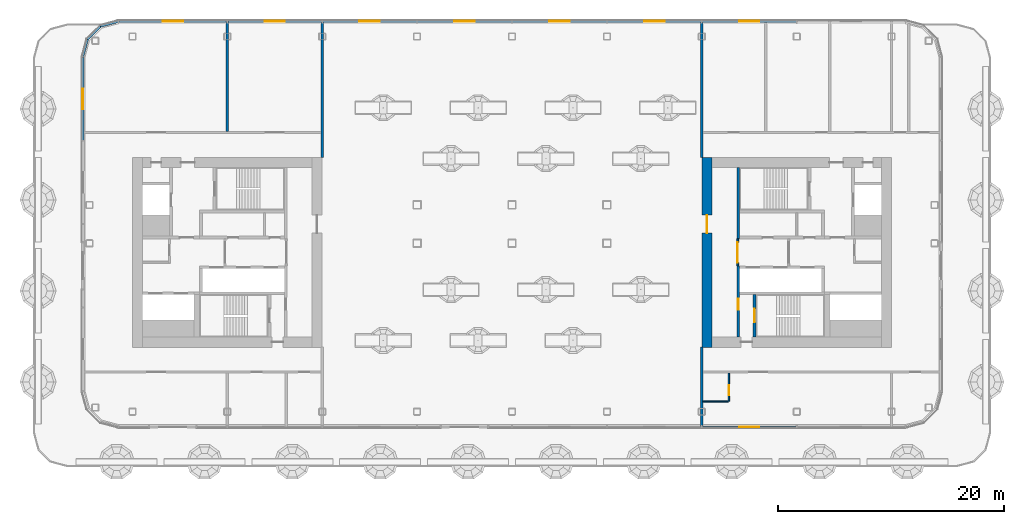
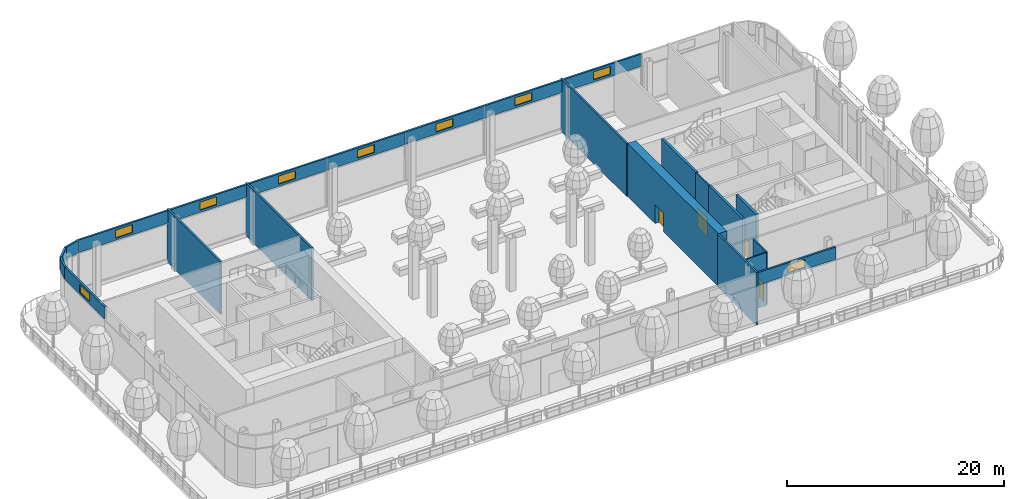
# One storey, part 12 of 41: 23 walls, 9 windows, 5 doors, 14 openings, 4 elements without a shape of their own.
"""IFC4 building model written with IfcOpenShell, lengths in metres."""

from ifc_helpers import new_model, si_unit, direction, frame, frame_2d, origin, place, context, subcontext, project, spatial, rectangle, extrude, material, layer, layer_set, type_object, element, fill, aggregate, save


model = new_model("IFC4")

# Units and contexts
model_context = context("Model", 3, precision=1e-05, world=origin(), true_north=direction((0.0, 1.0)))
body_context = subcontext(model_context, "Body", "Model", "MODEL_VIEW")
ifc_project = project(units=[si_unit("LENGTHUNIT", "METRE"), si_unit("AREAUNIT", "SQUARE_METRE"), si_unit("VOLUMEUNIT", "CUBIC_METRE"), si_unit("PLANEANGLEUNIT", "RADIAN"), si_unit("MASSUNIT", "GRAM", prefix="KILO")], contexts=[model_context])

# Site, building, storey
site_placement = place(None, origin())
site = spatial("IfcSite", under=ifc_project, at=site_placement, CompositionType="ELEMENT")
building_placement = place(site_placement, origin())
building = spatial("IfcBuilding", under=site, at=building_placement, Name="Hakoniwa Tower and Hamabe Station Hall", CompositionType="ELEMENT")
storey_placement = place(building_placement, frame((0.0, 0.0, 180.199951171875)))
storey = spatial("IfcBuildingStorey", under=building, at=storey_placement, Name="L51", CompositionType="ELEMENT", Elevation=180.199951171875)

# Wall, opening, door
ifc_material_1 = material(Name="Gypsum board partition")
ifc_layer_1 = layer(ifc_material_1, 0.14990234375)
ifc_layer_set_1 = layer_set([ifc_layer_1], Name="CORE PARTITION 150 EI 60")
wall_type_1 = type_object("IfcWallType", Name="CORE PARTITION 150 EI 60", PredefinedType="PARTITIONING", material=ifc_layer_set_1)
wall_1_placement = place(storey_placement, frame((19.97509765625, -1.199951171875, 0.0), z_axis=(0.0, 0.0, 1.0), x_axis=(0.0, 1.0, 0.0)))
wall_1 = element("IfcWall", 1, at=wall_1_placement, inside=storey, type_object=wall_type_1, Name="Core partition PL0 east", PredefinedType="PARTITIONING", context=body_context, shape_type="SweptSolid", body=[
    extrude(rectangle(XDim=2.39990234375, YDim=0.14990234375, at=frame_2d((1.199951171875, 0.0))), origin(), (0.0, 0.0, 1.0), 5.949951171875),
])
opening_1_placement = place(wall_1_placement, frame((0.300048828125, 0.0, 0.0)))
opening_1 = element("IfcOpeningElement", 2, at=opening_1_placement, cuts=wall_1, Name="Opening CD-E-LP0-18", PredefinedType="OPENING", context=body_context, shape_type="SweptSolid", body=[
    extrude(rectangle(XDim=1.800048828125, YDim=2.10009765625, at=frame_2d((0.89990234375, 1.050048828125))), frame((0.0, 0.0849609375, 0.0), z_axis=(0.0, -1.0, 0.0), x_axis=(1.0, 0.0, 0.0)), (0.0, 0.0, 1.0), 0.169921875),
])
ifc_material_2 = material(Name="Steel fire door", Category="steel")
door_type_1 = type_object("IfcDoorType", Name="CORE DOOR 1800 FD60", OperationType="DOUBLE_DOOR_SINGLE_SWING", PredefinedType="DOOR", material=ifc_material_2)
door_1_placement = place(opening_1_placement, origin())
door_1 = element("IfcDoor", 3, at=door_1_placement, inside=storey, type_object=door_type_1, Name="Lift lobby partition door", OperationType="DOUBLE_DOOR_SINGLE_SWING", OverallHeight=2.10009765625, OverallWidth=1.800048828125, PredefinedType="DOOR", context=body_context, shape_type="SweptSolid", body=[
    extrude(rectangle(XDim=1.800048828125, YDim=2.10009765625, at=frame_2d((0.89990234375, 1.050048828125))), frame((0.0, 0.02490234375, 0.0), z_axis=(0.0, -1.0, 0.0), x_axis=(1.0, 0.0, 0.0)), (0.0, 0.0, 1.0), 0.050048828125),
])
fill(opening_1, door_1)

ifc_material_3 = material(Name="Concrete C60", Category="concrete")
ifc_layer_2 = layer(ifc_material_3, 0.89990234375)
ifc_layer_set_2 = layer_set([ifc_layer_2], Name="CORE WALL 900 C60")
wall_type_2 = type_object("IfcWallType", Name="CORE WALL 900 C60", PredefinedType="SHEAR", material=ifc_layer_set_2)
wall_2_placement = place(storey_placement, frame((17.25, -8.39990234375, 0.0), z_axis=(0.0, 0.0, 1.0), x_axis=(0.0, 1.0, 0.0)))
wall_2 = element("IfcWall", 4, at=wall_2_placement, inside=storey, type_object=wall_type_2, Name="Core wall INNER east", PredefinedType="SHEAR", context=body_context, shape_type="SweptSolid", body=[
    extrude(rectangle(XDim=16.7998046875, YDim=0.89990234375, at=frame_2d((8.39990234375, 0.0))), origin(), (0.0, 0.0, 1.0), 5.949951171875),
])
opening_2_placement = place(wall_2_placement, frame((10.10009765625, 0.0, 0.0)))
opening_2 = element("IfcOpeningElement", 5, at=opening_2_placement, cuts=wall_2, Name="Opening CD-E-IN1-16", PredefinedType="OPENING", context=body_context, shape_type="SweptSolid", body=[
    extrude(rectangle(XDim=1.60009765625, YDim=2.10009765625, at=frame_2d((0.800048828125, 1.050048828125))), frame((0.0, 0.4599609375, 0.0), z_axis=(0.0, -1.0, 0.0), x_axis=(1.0, 0.0, 0.0)), (0.0, 0.0, 1.0), 0.919921875),
])
ifc_material_4 = material(Name="Steel fire door", Category="steel")
door_type_2 = type_object("IfcDoorType", Name="CORE DOOR 1600 FD60", OperationType="DOUBLE_DOOR_SINGLE_SWING", PredefinedType="DOOR", material=ifc_material_4)
door_2_placement = place(opening_2_placement, origin())
door_2 = element("IfcDoor", 6, at=door_2_placement, inside=storey, type_object=door_type_2, Name="Lift lobby door", OperationType="DOUBLE_DOOR_SINGLE_SWING", OverallHeight=2.10009765625, OverallWidth=1.60009765625, PredefinedType="DOOR", context=body_context, shape_type="SweptSolid", body=[
    extrude(rectangle(XDim=1.60009765625, YDim=2.10009765625, at=frame_2d((0.800048828125, 1.050048828125))), frame((0.0, 0.02490234375, 0.0), z_axis=(0.0, -1.0, 0.0), x_axis=(1.0, 0.0, 0.0)), (0.0, 0.0, 1.0), 0.050048828125),
])
fill(opening_2, door_2)

# Wall
ifc_material_5 = material(Name="Concrete C60", Category="concrete")
ifc_layer_3 = layer(ifc_material_5, 0.25)
ifc_layer_set_3 = layer_set([ifc_layer_3], Name="CORE WEB WALL 250 C60")
wall_type_3 = type_object("IfcWallType", Name="CORE WEB WALL 250 C60", PredefinedType="SHEAR", material=ifc_layer_set_3)
wall_3_placement = place(storey_placement, frame((20.02490234375, 1.199951171875, 0.0), z_axis=(0.0, 0.0, 1.0), x_axis=(0.0, 1.0, 0.0)))
element("IfcWall", 7, at=wall_3_placement, inside=storey, type_object=wall_type_3, Name="Core wall W1N east", PredefinedType="SHEAR", context=body_context, shape_type="SweptSolid", body=[
    extrude(rectangle(XDim=6.300048828125, YDim=0.25, at=frame_2d((3.14990234375, 0.0))), origin(), (0.0, 0.0, 1.0), 5.949951171875),
])

# Wall, opening, door
wall_4_placement = place(storey_placement, frame((20.02490234375, -7.5, 0.0), z_axis=(0.0, 0.0, 1.0), x_axis=(0.0, 1.0, 0.0)))
wall_4 = element("IfcWall", 8, at=wall_4_placement, inside=storey, type_object=wall_type_3, Name="Core wall W1S east", PredefinedType="SHEAR", context=body_context, shape_type="SweptSolid", body=[
    extrude(rectangle(XDim=6.300048828125, YDim=0.25, at=frame_2d((3.14990234375, 0.0))), origin(), (0.0, 0.0, 1.0), 5.949951171875),
])
opening_3_placement = place(wall_4_placement, frame((2.39990234375, 0.0, 0.0)))
opening_3 = element("IfcOpeningElement", 9, at=opening_3_placement, cuts=wall_4, Name="Opening CD-E-VS-10", PredefinedType="OPENING", context=body_context, shape_type="SweptSolid", body=[
    extrude(rectangle(XDim=1.0, YDim=2.10009765625, at=frame_2d((0.5, 1.050048828125))), frame((0.0, 0.135009765625, 0.0), z_axis=(0.0, -1.0, 0.0), x_axis=(1.0, 0.0, 0.0)), (0.0, 0.0, 1.0), 0.27001953125),
])
ifc_material_6 = material(Name="Steel fire door", Category="steel")
door_type_3 = type_object("IfcDoorType", Name="CORE DOOR 1000 FD60", OperationType="NOTDEFINED", PredefinedType="DOOR", material=ifc_material_6)
door_3_placement = place(opening_3_placement, origin())
door_3 = element("IfcDoor", 10, at=door_3_placement, inside=storey, type_object=door_type_3, Name="Stair vestibule door", OperationType="SINGLE_SWING_RIGHT", OverallHeight=2.10009765625, OverallWidth=1.0, PredefinedType="DOOR", context=body_context, shape_type="SweptSolid", body=[
    extrude(rectangle(XDim=1.0, YDim=2.10009765625, at=frame_2d((0.5, 1.050048828125))), frame((0.0, 0.02490234375, 0.0), z_axis=(0.0, -1.0, 0.0), x_axis=(1.0, 0.0, 0.0)), (0.0, 0.0, 1.0), 0.050048828125),
])
fill(opening_3, door_3)

wall_5_placement = place(storey_placement, frame((21.47509765625, -7.5, 0.0), z_axis=(0.0, 0.0, 1.0), x_axis=(0.0, 1.0, 0.0)))
wall_5 = element("IfcWall", 11, at=wall_5_placement, inside=storey, type_object=wall_type_3, Name="Core wall VE east", PredefinedType="SHEAR", context=body_context, shape_type="SweptSolid", body=[
    extrude(rectangle(XDim=3.75, YDim=0.25, at=frame_2d((1.875, 0.0))), origin(), (0.0, 0.0, 1.0), 5.949951171875),
])
opening_4_placement = place(wall_5_placement, frame((1.300048828125, 0.0, 0.0)))
opening_4 = element("IfcOpeningElement", 12, at=opening_4_placement, cuts=wall_5, Name="Opening CD-E-SS-12", PredefinedType="OPENING", context=body_context, shape_type="SweptSolid", body=[
    extrude(rectangle(XDim=1.199951171875, YDim=2.10009765625, at=frame_2d((0.60009765625, 1.050048828125))), frame((0.0, 0.135009765625, 0.0), z_axis=(0.0, -1.0, 0.0), x_axis=(1.0, 0.0, 0.0)), (0.0, 0.0, 1.0), 0.27001953125),
])
ifc_material_7 = material(Name="Steel fire door", Category="steel")
door_type_4 = type_object("IfcDoorType", Name="CORE DOOR 1200 FD60", OperationType="DOUBLE_DOOR_SINGLE_SWING", PredefinedType="DOOR", material=ifc_material_7)
door_4_placement = place(opening_4_placement, origin())
door_4 = element("IfcDoor", 13, at=door_4_placement, inside=storey, type_object=door_type_4, Name="Escape stair door", OperationType="DOUBLE_DOOR_SINGLE_SWING", OverallHeight=2.10009765625, OverallWidth=1.199951171875, PredefinedType="DOOR", context=body_context, shape_type="SweptSolid", body=[
    extrude(rectangle(XDim=1.199951171875, YDim=2.10009765625, at=frame_2d((0.60009765625, 1.050048828125))), frame((0.0, 0.02490234375, 0.0), z_axis=(0.0, -1.0, 0.0), x_axis=(1.0, 0.0, 0.0)), (0.0, 0.0, 1.0), 0.050048828125),
])
fill(opening_4, door_4)

# Walls
ifc_material_8 = material(Name="Fire-rated gypsum board partition", Category="gypsum")
ifc_layer_4 = layer(ifc_material_8, 0.199951171875)
ifc_layer_set_4 = layer_set([ifc_layer_4], Name="Party Wall 200")
wall_type_4 = type_object("IfcWallType", Name="Party Wall 200", PredefinedType="PARTITIONING", material=ifc_layer_set_4)
wall_6_placement = place(storey_placement, frame((-25.199951171875, 10.699951171875, 0.0), z_axis=(0.0, 0.0, 1.0), x_axis=(0.0, 1.0, 0.0)))
element("IfcWall", 14, at=wall_6_placement, inside=storey, type_object=wall_type_4, Name="GW-L51-007", PredefinedType="PARTITIONING", context=body_context, shape_type="SweptSolid", body=[
    extrude(rectangle(XDim=9.85009765625, YDim=0.199951171875, at=frame_2d((4.925048828125, 0.0))), origin(), (0.0, 0.0, 1.0), 5.949951171875),
])
wall_7_placement = place(storey_placement, frame((-16.800048828125, 8.389892578125, 0.0), z_axis=(0.0, 0.0, 1.0), x_axis=(0.0, 1.0, 0.0)))
element("IfcWall", 15, at=wall_7_placement, inside=storey, type_object=wall_type_4, Name="GW-L51-010", PredefinedType="PARTITIONING", context=body_context, shape_type="SweptSolid", body=[
    extrude(rectangle(XDim=12.16015625, YDim=0.199951171875, at=frame_2d((6.080078125, 0.0))), origin(), (0.0, 0.0, 1.0), 5.949951171875),
])
wall_8_placement = place(storey_placement, frame((16.800048828125, -15.550048828125, 0.0), z_axis=(0.0, 0.0, 1.0), x_axis=(0.0, 1.0, 0.0)))
element("IfcWall", 16, at=wall_8_placement, inside=storey, type_object=wall_type_4, Name="GW-L51-011", PredefinedType="PARTITIONING", context=body_context, shape_type="SweptSolid", body=[
    extrude(rectangle(XDim=7.16015625, YDim=0.199951171875, at=frame_2d((3.580078125, 0.0))), origin(), (0.0, 0.0, 1.0), 5.949951171875),
])
wall_9_placement = place(storey_placement, frame((16.800048828125, 8.389892578125, 0.0), z_axis=(0.0, 0.0, 1.0), x_axis=(0.0, 1.0, 0.0)))
element("IfcWall", 17, at=wall_9_placement, inside=storey, type_object=wall_type_4, Name="GW-L51-012", PredefinedType="PARTITIONING", context=body_context, shape_type="SweptSolid", body=[
    extrude(rectangle(XDim=12.16015625, YDim=0.199951171875, at=frame_2d((6.080078125, 0.0))), origin(), (0.0, 0.0, 1.0), 5.949951171875),
])
ifc_material_9 = material(Name="Gypsum board partition", Category="gypsum")
ifc_layer_5 = layer(ifc_material_9, 0.125)
ifc_layer_set_5 = layer_set([ifc_layer_5], Name="Room Partition 125")
wall_type_5 = type_object("IfcWallType", Name="Room Partition 125", PredefinedType="PARTITIONING", material=ifc_layer_set_5)
wall_10_placement = place(storey_placement, frame((16.89990234375, -13.199951171875, 0.0), z_axis=(0.0, 0.0, 1.0), x_axis=(1.0, 0.0, 0.0)))
element("IfcWall", 18, at=wall_10_placement, inside=storey, type_object=wall_type_5, Name="GW-L51-001", PredefinedType="PARTITIONING", context=body_context, shape_type="SweptSolid", body=[
    extrude(rectangle(XDim=2.237548828125, YDim=0.125, at=frame_2d((1.11865234375, 0.0))), origin(), (0.0, 0.0, 1.0), 5.949951171875),
])

# Wall, opening, door
wall_11_placement = place(storey_placement, frame((19.199951171875, -13.199951171875, 0.0), z_axis=(0.0, 0.0, 1.0), x_axis=(0.0, 1.0, 0.0)))
wall_11 = element("IfcWall", 19, at=wall_11_placement, inside=storey, type_object=wall_type_5, Name="GW-L51-013", PredefinedType="PARTITIONING", context=body_context, shape_type="SweptSolid", body=[
    extrude(rectangle(XDim=2.5, YDim=0.125, at=frame_2d((1.25, 0.0))), origin(), (0.0, 0.0, 1.0), 5.949951171875),
])
opening_5_placement = place(wall_11_placement, frame((0.550048828125, 0.0, 0.0)))
opening_5 = element("IfcOpeningElement", 20, at=opening_5_placement, cuts=wall_11, Name="Opening GD-SL51-13", PredefinedType="OPENING", context=body_context, shape_type="SweptSolid", body=[
    extrude(rectangle(XDim=0.89990234375, YDim=2.10009765625, at=frame_2d((0.449951171875, 1.050048828125))), frame((0.0, 0.072509765625, 0.0), z_axis=(0.0, -1.0, 0.0), x_axis=(1.0, 0.0, 0.0)), (0.0, 0.0, 1.0), 0.14501953125),
])
ifc_material_10 = material(Name="Timber door leaf", Category="wood")
door_type_5 = type_object("IfcDoorType", Name="Suite Interior Door 900", OperationType="SINGLE_SWING_LEFT", PredefinedType="DOOR", material=ifc_material_10)
door_5_placement = place(opening_5_placement, origin())
door_5 = element("IfcDoor", 21, at=door_5_placement, inside=storey, type_object=door_type_5, Name="Door GD-SL51-13", OperationType="SINGLE_SWING_RIGHT", OverallHeight=2.10009765625, OverallWidth=0.89990234375, PredefinedType="DOOR", context=body_context, shape_type="SweptSolid", body=[
    extrude(rectangle(XDim=0.89990234375, YDim=2.10009765625, at=frame_2d((0.449951171875, 1.050048828125))), frame((0.0, 0.02490234375, 0.0), z_axis=(0.0, -1.0, 0.0), x_axis=(1.0, 0.0, 0.0)), (0.0, 0.0, 1.0), 0.050048828125),
])
fill(opening_5, door_5)

# Curtain wall, walls, openings, windows
ifc_material_11 = material(Name="Dark low-e laminated glass", Category="glass")
ifc_layer_6 = layer(ifc_material_11, 0.199951171875)
ifc_layer_set_6 = layer_set([ifc_layer_6], Name="CW-2 SKY GARDEN")
curtain_wall_type = type_object("IfcCurtainWallType", Name="CW-2 SKY GARDEN", PredefinedType="NOTDEFINED", material=ifc_layer_set_6)
curtain_wall_1_placement = place(storey_placement, origin())
curtain_wall_1 = element("IfcCurtainWall", 22, at=curtain_wall_1_placement, inside=storey, type_object=curtain_wall_type, Name="CW-2 curtain wall", PredefinedType="NOTDEFINED")
ifc_material_12 = material(Name="Dark glass-faced aluminium panel", Category="aluminium")
ifc_layer_7 = layer(ifc_material_12, 0.199951171875)
ifc_layer_set_7 = layer_set([ifc_layer_7], Name="VENT BAND WALL")
wall_type_6 = type_object("IfcWallType", Name="VENT BAND WALL", PredefinedType="NOTDEFINED", material=ifc_layer_set_7)
wall_12_placement = place(storey_placement, frame((25.199951171875, 20.449951171875, 4.449951171875), z_axis=(0.0, 0.0, 1.0), x_axis=(-1.0, 0.0, 0.0)))
wall_12 = element("IfcWall", 23, at=wall_12_placement, type_object=wall_type_6, Name="Vent band wall", PredefinedType="NOTDEFINED", context=body_context, shape_type="SweptSolid", body=[
    extrude(rectangle(XDim=8.39990234375, YDim=0.199951171875, at=frame_2d((4.199951171875, 0.0))), origin(), (0.0, 0.0, 1.0), 1.400146484375),
])
opening_6_placement = place(wall_12_placement, frame((3.300048828125, 0.0, 0.25)))
opening_6 = element("IfcOpeningElement", 24, at=opening_6_placement, cuts=wall_12, Name="Opening VW-1", PredefinedType="OPENING", context=body_context, shape_type="SweptSolid", body=[
    extrude(rectangle(XDim=1.800048828125, YDim=0.89990234375, at=frame_2d((0.89990234375, 0.449951171875))), frame((0.0, 0.10986328125, 0.0), z_axis=(0.0, -1.0, 0.0), x_axis=(1.0, 0.0, 0.0)), (0.0, 0.0, 1.0), 0.219970703125),
])
ifc_material_13 = material(Name="Dark low-e laminated glass", Category="glass")
window_type = type_object("IfcWindowType", Name="VENT WINDOW 1800X900", PartitioningType="SINGLE_PANEL", PredefinedType="WINDOW", material=ifc_material_13)
window_1_placement = place(opening_6_placement, origin())
window_1 = element("IfcWindow", 25, at=window_1_placement, inside=storey, type_object=window_type, Name="Vent window", OverallHeight=0.89990234375, OverallWidth=1.800048828125, PartitioningType="SINGLE_PANEL", PredefinedType="WINDOW", context=body_context, shape_type="SweptSolid", body=[
    extrude(rectangle(XDim=1.800048828125, YDim=0.89990234375, at=frame_2d((0.89990234375, 0.449951171875))), frame((0.0, 0.030029296875, 0.0), z_axis=(0.0, -1.0, 0.0), x_axis=(1.0, 0.0, 0.0)), (0.0, 0.0, 1.0), 0.06005859375),
])
fill(opening_6, window_1)
wall_13_placement = place(storey_placement, frame((16.800048828125, 20.449951171875, 4.449951171875), z_axis=(0.0, 0.0, 1.0), x_axis=(-1.0, 0.0, 0.0)))
wall_13 = element("IfcWall", 26, at=wall_13_placement, type_object=wall_type_6, Name="Vent band wall", PredefinedType="NOTDEFINED", context=body_context, shape_type="SweptSolid", body=[
    extrude(rectangle(XDim=8.400146484375, YDim=0.199951171875, at=frame_2d((4.2001953125, 0.0))), origin(), (0.0, 0.0, 1.0), 1.400146484375),
])
opening_7_placement = place(wall_13_placement, frame((3.300048828125, 0.0, 0.25)))
opening_7 = element("IfcOpeningElement", 27, at=opening_7_placement, cuts=wall_13, Name="Opening VW-1", PredefinedType="OPENING", context=body_context, shape_type="SweptSolid", body=[
    extrude(rectangle(XDim=1.800048828125, YDim=0.89990234375, at=frame_2d((0.89990234375, 0.449951171875))), frame((0.0, 0.10986328125, 0.0), z_axis=(0.0, -1.0, 0.0), x_axis=(1.0, 0.0, 0.0)), (0.0, 0.0, 1.0), 0.219970703125),
])
window_2_placement = place(opening_7_placement, origin())
window_2 = element("IfcWindow", 28, at=window_2_placement, inside=storey, type_object=window_type, Name="Vent window", OverallHeight=0.89990234375, OverallWidth=1.800048828125, PartitioningType="SINGLE_PANEL", PredefinedType="WINDOW", context=body_context, shape_type="SweptSolid", body=[
    extrude(rectangle(XDim=1.800048828125, YDim=0.89990234375, at=frame_2d((0.89990234375, 0.449951171875))), frame((0.0, 0.030029296875, 0.0), z_axis=(0.0, -1.0, 0.0), x_axis=(1.0, 0.0, 0.0)), (0.0, 0.0, 1.0), 0.06005859375),
])
fill(opening_7, window_2)
wall_14_placement = place(storey_placement, frame((8.39990234375, 20.449951171875, 4.449951171875), z_axis=(0.0, 0.0, 1.0), x_axis=(-1.0, 0.0, 0.0)))
wall_14 = element("IfcWall", 29, at=wall_14_placement, type_object=wall_type_6, Name="Vent band wall", PredefinedType="NOTDEFINED", context=body_context, shape_type="SweptSolid", body=[
    extrude(rectangle(XDim=8.39990234375, YDim=0.199951171875, at=frame_2d((4.199951171875, 0.0))), origin(), (0.0, 0.0, 1.0), 1.400146484375),
])
opening_8_placement = place(wall_14_placement, frame((3.300048828125, 0.0, 0.25)))
opening_8 = element("IfcOpeningElement", 30, at=opening_8_placement, cuts=wall_14, Name="Opening VW-1", PredefinedType="OPENING", context=body_context, shape_type="SweptSolid", body=[
    extrude(rectangle(XDim=1.800048828125, YDim=0.89990234375, at=frame_2d((0.89990234375, 0.449951171875))), frame((0.0, 0.10986328125, 0.0), z_axis=(0.0, -1.0, 0.0), x_axis=(1.0, 0.0, 0.0)), (0.0, 0.0, 1.0), 0.219970703125),
])
window_3_placement = place(opening_8_placement, origin())
window_3 = element("IfcWindow", 31, at=window_3_placement, inside=storey, type_object=window_type, Name="Vent window", OverallHeight=0.89990234375, OverallWidth=1.800048828125, PartitioningType="SINGLE_PANEL", PredefinedType="WINDOW", context=body_context, shape_type="SweptSolid", body=[
    extrude(rectangle(XDim=1.800048828125, YDim=0.89990234375, at=frame_2d((0.89990234375, 0.449951171875))), frame((0.0, 0.030029296875, 0.0), z_axis=(0.0, -1.0, 0.0), x_axis=(1.0, 0.0, 0.0)), (0.0, 0.0, 1.0), 0.06005859375),
])
fill(opening_8, window_3)
wall_15_placement = place(storey_placement, frame((0.0, 20.449951171875, 4.449951171875), z_axis=(0.0, 0.0, 1.0), x_axis=(-1.0, 0.0, 0.0)))
wall_15 = element("IfcWall", 32, at=wall_15_placement, type_object=wall_type_6, Name="Vent band wall", PredefinedType="NOTDEFINED", context=body_context, shape_type="SweptSolid", body=[
    extrude(rectangle(XDim=8.39990234375, YDim=0.199951171875, at=frame_2d((4.199951171875, 0.0))), origin(), (0.0, 0.0, 1.0), 1.400146484375),
])
opening_9_placement = place(wall_15_placement, frame((3.300048828125, 0.0, 0.25)))
opening_9 = element("IfcOpeningElement", 33, at=opening_9_placement, cuts=wall_15, Name="Opening VW-1", PredefinedType="OPENING", context=body_context, shape_type="SweptSolid", body=[
    extrude(rectangle(XDim=1.800048828125, YDim=0.89990234375, at=frame_2d((0.89990234375, 0.449951171875))), frame((0.0, 0.10986328125, 0.0), z_axis=(0.0, -1.0, 0.0), x_axis=(1.0, 0.0, 0.0)), (0.0, 0.0, 1.0), 0.219970703125),
])
window_4_placement = place(opening_9_placement, origin())
window_4 = element("IfcWindow", 34, at=window_4_placement, inside=storey, type_object=window_type, Name="Vent window", OverallHeight=0.89990234375, OverallWidth=1.800048828125, PartitioningType="SINGLE_PANEL", PredefinedType="WINDOW", context=body_context, shape_type="SweptSolid", body=[
    extrude(rectangle(XDim=1.800048828125, YDim=0.89990234375, at=frame_2d((0.89990234375, 0.449951171875))), frame((0.0, 0.030029296875, 0.0), z_axis=(0.0, -1.0, 0.0), x_axis=(1.0, 0.0, 0.0)), (0.0, 0.0, 1.0), 0.06005859375),
])
fill(opening_9, window_4)
wall_16_placement = place(storey_placement, frame((-8.39990234375, 20.449951171875, 4.449951171875), z_axis=(0.0, 0.0, 1.0), x_axis=(-1.0, 0.0, 0.0)))
wall_16 = element("IfcWall", 35, at=wall_16_placement, type_object=wall_type_6, Name="Vent band wall", PredefinedType="NOTDEFINED", context=body_context, shape_type="SweptSolid", body=[
    extrude(rectangle(XDim=8.400146484375, YDim=0.199951171875, at=frame_2d((4.2001953125, 0.0))), origin(), (0.0, 0.0, 1.0), 1.400146484375),
])
opening_10_placement = place(wall_16_placement, frame((3.300048828125, 0.0, 0.25)))
opening_10 = element("IfcOpeningElement", 36, at=opening_10_placement, cuts=wall_16, Name="Opening VW-1", PredefinedType="OPENING", context=body_context, shape_type="SweptSolid", body=[
    extrude(rectangle(XDim=1.800048828125, YDim=0.89990234375, at=frame_2d((0.89990234375, 0.449951171875))), frame((0.0, 0.10986328125, 0.0), z_axis=(0.0, -1.0, 0.0), x_axis=(1.0, 0.0, 0.0)), (0.0, 0.0, 1.0), 0.219970703125),
])
window_5_placement = place(opening_10_placement, origin())
window_5 = element("IfcWindow", 37, at=window_5_placement, inside=storey, type_object=window_type, Name="Vent window", OverallHeight=0.89990234375, OverallWidth=1.800048828125, PartitioningType="SINGLE_PANEL", PredefinedType="WINDOW", context=body_context, shape_type="SweptSolid", body=[
    extrude(rectangle(XDim=1.800048828125, YDim=0.89990234375, at=frame_2d((0.89990234375, 0.449951171875))), frame((0.0, 0.030029296875, 0.0), z_axis=(0.0, -1.0, 0.0), x_axis=(1.0, 0.0, 0.0)), (0.0, 0.0, 1.0), 0.06005859375),
])
fill(opening_10, window_5)
wall_17_placement = place(storey_placement, frame((-16.800048828125, 20.449951171875, 4.449951171875), z_axis=(0.0, 0.0, 1.0), x_axis=(-1.0, 0.0, 0.0)))
wall_17 = element("IfcWall", 38, at=wall_17_placement, type_object=wall_type_6, Name="Vent band wall", PredefinedType="NOTDEFINED", context=body_context, shape_type="SweptSolid", body=[
    extrude(rectangle(XDim=8.39990234375, YDim=0.199951171875, at=frame_2d((4.199951171875, 0.0))), origin(), (0.0, 0.0, 1.0), 1.400146484375),
])
opening_11_placement = place(wall_17_placement, frame((3.300048828125, 0.0, 0.25)))
opening_11 = element("IfcOpeningElement", 39, at=opening_11_placement, cuts=wall_17, Name="Opening VW-1", PredefinedType="OPENING", context=body_context, shape_type="SweptSolid", body=[
    extrude(rectangle(XDim=1.800048828125, YDim=0.89990234375, at=frame_2d((0.89990234375, 0.449951171875))), frame((0.0, 0.10986328125, 0.0), z_axis=(0.0, -1.0, 0.0), x_axis=(1.0, 0.0, 0.0)), (0.0, 0.0, 1.0), 0.219970703125),
])
window_6_placement = place(opening_11_placement, origin())
window_6 = element("IfcWindow", 40, at=window_6_placement, inside=storey, type_object=window_type, Name="Vent window", OverallHeight=0.89990234375, OverallWidth=1.800048828125, PartitioningType="SINGLE_PANEL", PredefinedType="WINDOW", context=body_context, shape_type="SweptSolid", body=[
    extrude(rectangle(XDim=1.800048828125, YDim=0.89990234375, at=frame_2d((0.89990234375, 0.449951171875))), frame((0.0, 0.030029296875, 0.0), z_axis=(0.0, -1.0, 0.0), x_axis=(1.0, 0.0, 0.0)), (0.0, 0.0, 1.0), 0.06005859375),
])
fill(opening_11, window_6)
wall_18_placement = place(storey_placement, frame((-25.199951171875, 20.449951171875, 4.449951171875), z_axis=(0.0, 0.0, 1.0), x_axis=(-1.0, 0.0, 0.0)))
wall_18 = element("IfcWall", 41, at=wall_18_placement, type_object=wall_type_6, Name="Vent band wall", PredefinedType="NOTDEFINED", context=body_context, shape_type="SweptSolid", body=[
    extrude(rectangle(XDim=9.609619140625, YDim=0.199951171875, at=frame_2d((4.8046875, 0.0))), origin(), (0.0, 0.0, 1.0), 1.400146484375),
])
opening_12_placement = place(wall_18_placement, frame((3.90478515625, 0.0, 0.25)))
opening_12 = element("IfcOpeningElement", 42, at=opening_12_placement, cuts=wall_18, Name="Opening VW-1", PredefinedType="OPENING", context=body_context, shape_type="SweptSolid", body=[
    extrude(rectangle(XDim=1.800048828125, YDim=0.89990234375, at=frame_2d((0.89990234375, 0.449951171875))), frame((0.0, 0.10986328125, 0.0), z_axis=(0.0, -1.0, 0.0), x_axis=(1.0, 0.0, 0.0)), (0.0, 0.0, 1.0), 0.219970703125),
])
window_7_placement = place(opening_12_placement, origin())
window_7 = element("IfcWindow", 43, at=window_7_placement, inside=storey, type_object=window_type, Name="Vent window", OverallHeight=0.89990234375, OverallWidth=1.800048828125, PartitioningType="SINGLE_PANEL", PredefinedType="WINDOW", context=body_context, shape_type="SweptSolid", body=[
    extrude(rectangle(XDim=1.800048828125, YDim=0.89990234375, at=frame_2d((0.89990234375, 0.449951171875))), frame((0.0, 0.030029296875, 0.0), z_axis=(0.0, -1.0, 0.0), x_axis=(1.0, 0.0, 0.0)), (0.0, 0.0, 1.0), 0.06005859375),
])
fill(opening_12, window_7)
aggregate(curtain_wall_1, [wall_12, wall_13, wall_14, wall_15, wall_16, wall_17, wall_18])

# Curtain wall, walls
curtain_wall_2_placement = place(storey_placement, origin())
curtain_wall_2 = element("IfcCurtainWall", 44, at=curtain_wall_2_placement, inside=storey, type_object=curtain_wall_type, Name="CW-2 curtain wall", PredefinedType="NOTDEFINED")
wall_19_placement = place(storey_placement, frame((-34.842529296875, 20.445556640625, 4.449951171875), z_axis=(0.0, 0.0, 1.0), x_axis=(-0.965950704374, -0.258726180971, 0.0)))
wall_19 = element("IfcWall", 45, at=wall_19_placement, type_object=wall_type_6, Name="Vent band wall", PredefinedType="NOTDEFINED", context=body_context, shape_type="SweptSolid", body=[
    extrude(rectangle(XDim=1.642822265625, YDim=0.199951171875, at=frame_2d((0.8212890625, 0.0))), origin(), (0.0, 0.0, 1.0), 1.400146484375),
])
wall_20_placement = place(storey_placement, frame((-36.429443359375, 20.0205078125, 4.449951171875), z_axis=(0.0, 0.0, 1.0), x_axis=(-0.707035546937, -0.70717800826, 0.0)))
wall_20 = element("IfcWall", 46, at=wall_20_placement, type_object=wall_type_6, Name="Vent band wall", PredefinedType="NOTDEFINED", context=body_context, shape_type="SweptSolid", body=[
    extrude(rectangle(XDim=1.713623046875, YDim=0.199951171875, at=frame_2d((0.85693359375, 0.0))), origin(), (0.0, 0.0, 1.0), 1.400146484375),
])
wall_21_placement = place(storey_placement, frame((-37.596435546875, 18.83447265625, 4.449951171875), z_axis=(0.0, 0.0, 1.0), x_axis=(-0.258763325689, -0.965940754539, 0.0)))
wall_21 = element("IfcWall", 47, at=wall_21_placement, type_object=wall_type_6, Name="Vent band wall", PredefinedType="NOTDEFINED", context=body_context, shape_type="SweptSolid", body=[
    extrude(rectangle(XDim=1.642578125, YDim=0.199951171875, at=frame_2d((0.8212890625, 0.0))), origin(), (0.0, 0.0, 1.0), 1.400146484375),
])
aggregate(curtain_wall_2, [wall_19, wall_20, wall_21])

# Curtain wall, wall, opening, window
curtain_wall_3_placement = place(storey_placement, origin())
curtain_wall_3 = element("IfcCurtainWall", 48, at=curtain_wall_3_placement, inside=storey, type_object=curtain_wall_type, Name="CW-2 curtain wall", PredefinedType="NOTDEFINED")
wall_22_placement = place(storey_placement, frame((-38.0, 17.259521484375, 4.449951171875), z_axis=(0.0, 0.0, 1.0), x_axis=(0.0, -1.0, 0.0)))
wall_22 = element("IfcWall", 49, at=wall_22_placement, type_object=wall_type_6, Name="Vent band wall", PredefinedType="NOTDEFINED", context=body_context, shape_type="SweptSolid", body=[
    extrude(rectangle(XDim=7.36474609375, YDim=0.199951171875, at=frame_2d((3.682373046875, 0.0))), origin(), (0.0, 0.0, 1.0), 1.400146484375),
])
opening_13_placement = place(wall_22_placement, frame((2.782470703125, 0.0, 0.25)))
opening_13 = element("IfcOpeningElement", 50, at=opening_13_placement, cuts=wall_22, Name="Opening VW-1", PredefinedType="OPENING", context=body_context, shape_type="SweptSolid", body=[
    extrude(rectangle(XDim=1.800048828125, YDim=0.89990234375, at=frame_2d((0.89990234375, 0.449951171875))), frame((0.0, 0.10986328125, 0.0), z_axis=(0.0, -1.0, 0.0), x_axis=(1.0, 0.0, 0.0)), (0.0, 0.0, 1.0), 0.219970703125),
])
window_8_placement = place(opening_13_placement, origin())
window_8 = element("IfcWindow", 51, at=window_8_placement, inside=storey, type_object=window_type, Name="Vent window", OverallHeight=0.89990234375, OverallWidth=1.800048828125, PartitioningType="SINGLE_PANEL", PredefinedType="WINDOW", context=body_context, shape_type="SweptSolid", body=[
    extrude(rectangle(XDim=1.800048828125, YDim=0.89990234375, at=frame_2d((0.89990234375, 0.449951171875))), frame((0.0, 0.030029296875, 0.0), z_axis=(0.0, -1.0, 0.0), x_axis=(1.0, 0.0, 0.0)), (0.0, 0.0, 1.0), 0.06005859375),
])
fill(opening_13, window_8)
aggregate(curtain_wall_3, [wall_22])

curtain_wall_4_placement = place(storey_placement, origin())
curtain_wall_4 = element("IfcCurtainWall", 52, at=curtain_wall_4_placement, inside=storey, type_object=curtain_wall_type, Name="CW-2 curtain wall", PredefinedType="NOTDEFINED")
wall_23_placement = place(storey_placement, frame((16.800048828125, -15.449951171875, 4.449951171875), z_axis=(0.0, 0.0, 1.0), x_axis=(1.0, 0.0, 0.0)))
wall_23 = element("IfcWall", 53, at=wall_23_placement, type_object=wall_type_6, Name="Vent band wall", PredefinedType="NOTDEFINED", context=body_context, shape_type="SweptSolid", body=[
    extrude(rectangle(XDim=8.39990234375, YDim=0.199951171875, at=frame_2d((4.199951171875, 0.0))), origin(), (0.0, 0.0, 1.0), 1.400146484375),
])
opening_14_placement = place(wall_23_placement, frame((3.300048828125, 0.0, 0.25)))
opening_14 = element("IfcOpeningElement", 54, at=opening_14_placement, cuts=wall_23, Name="Opening VW-1", PredefinedType="OPENING", context=body_context, shape_type="SweptSolid", body=[
    extrude(rectangle(XDim=1.800048828125, YDim=0.89990234375, at=frame_2d((0.89990234375, 0.449951171875))), frame((0.0, 0.10986328125, 0.0), z_axis=(0.0, -1.0, 0.0), x_axis=(1.0, 0.0, 0.0)), (0.0, 0.0, 1.0), 0.219970703125),
])
window_9_placement = place(opening_14_placement, origin())
window_9 = element("IfcWindow", 55, at=window_9_placement, inside=storey, type_object=window_type, Name="Vent window", OverallHeight=0.89990234375, OverallWidth=1.800048828125, PartitioningType="SINGLE_PANEL", PredefinedType="WINDOW", context=body_context, shape_type="SweptSolid", body=[
    extrude(rectangle(XDim=1.800048828125, YDim=0.89990234375, at=frame_2d((0.89990234375, 0.449951171875))), frame((0.0, 0.030029296875, 0.0), z_axis=(0.0, -1.0, 0.0), x_axis=(1.0, 0.0, 0.0)), (0.0, 0.0, 1.0), 0.06005859375),
])
fill(opening_14, window_9)
aggregate(curtain_wall_4, [wall_23])

save(model, "model.ifc")
